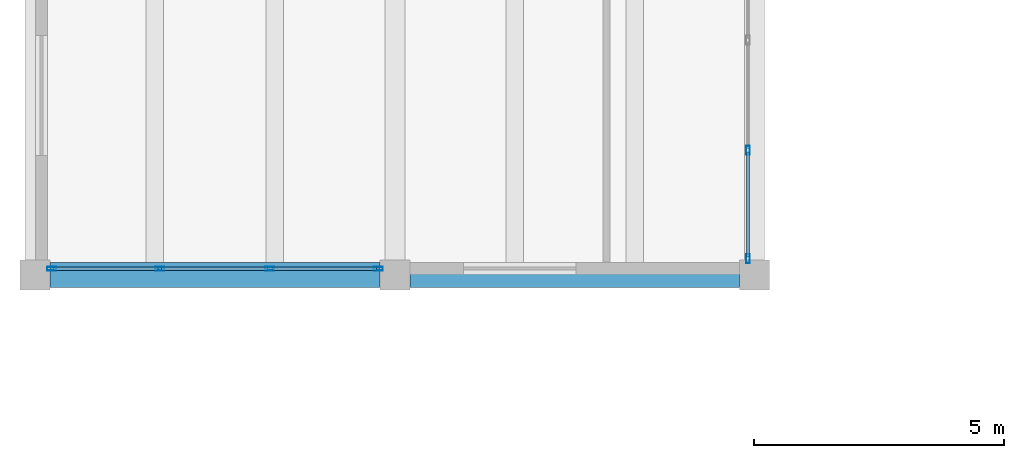
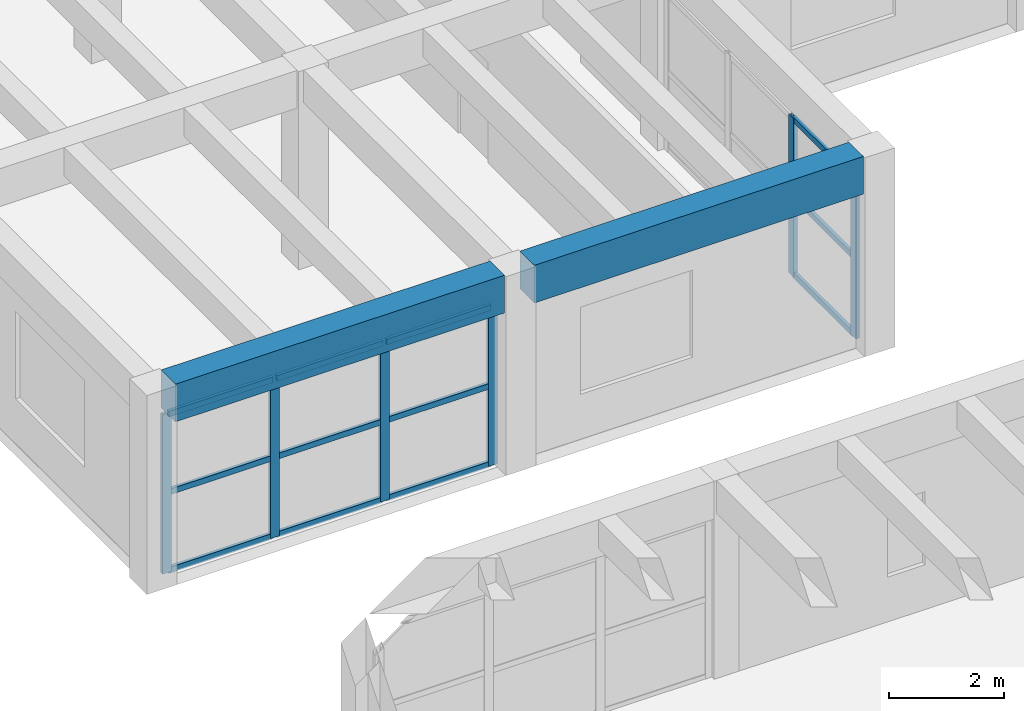
# One storey, part 59 of 153: 18 members, 2 beams, 2 elements without a shape of their own.
"""IFC4 building model written with IfcOpenShell, lengths in metres."""

from ifc_helpers import new_model, si_unit, direction, frame, origin, origin_2d, place, context, subcontext, project, spatial, rectangle, hollow_rectangle, extrude, material, material_profile, profile_set, type_object, element, aggregate, save


model = new_model("IFC4")

# Units and contexts
model_context = context("Model", 3, precision=1e-05, world=origin(), true_north=direction((0.0, 1.0)))
body_context = subcontext(model_context, "Body", "Model", "MODEL_VIEW")
ifc_project = project(units=[si_unit("LENGTHUNIT", "METRE"), si_unit("AREAUNIT", "SQUARE_METRE"), si_unit("VOLUMEUNIT", "CUBIC_METRE"), si_unit("PLANEANGLEUNIT", "RADIAN"), si_unit("MASSUNIT", "GRAM", prefix="KILO")], contexts=[model_context])

# Site, building, storey
site_placement = place(None, origin())
site = spatial("IfcSite", under=ifc_project, at=site_placement, CompositionType="ELEMENT")
building_placement = place(site_placement, origin())
building = spatial("IfcBuilding", under=site, at=building_placement, Name="Bramvelor Terrace Health Centre", CompositionType="ELEMENT")
storey_placement = place(building_placement, frame((0.0, 0.0, 4.800048828125)))
storey = spatial("IfcBuildingStorey", under=building, at=storey_placement, Name="L02", CompositionType="ELEMENT", Elevation=4.800048828125)

# Beams
ifc_material_1 = material(Name="Concrete C40/50", Category="concrete")
ifc_material_profile_1 = material_profile(ifc_material_1, rectangle(XDim=0.5, YDim=0.800048828125, at=origin_2d()), Name="RC 500x800")
ifc_profile_set_1 = profile_set([ifc_material_profile_1], Name="Concrete C40/50")
beam_type = type_object("IfcBeamType", Name="BM-RC-G800", PredefinedType="BEAM", material=ifc_profile_set_1)
beam_1_placement = place(storey_placement, frame((0.300048828125, 72.0, 3.820068359375), z_axis=(1.0, 0.0, 0.0), x_axis=(0.0, 1.0, 0.0)))
element("IfcBeam", 1, at=beam_1_placement, inside=storey, type_object=beam_type, Name="L02 Floor Girder", PredefinedType="BEAM", context=body_context, shape_type="SweptSolid", body=[
    extrude(rectangle(XDim=0.5, YDim=0.800048828125, at=origin_2d()), origin(), (0.0, 0.0, 1.0), 6.599853515625),
])
beam_2_placement = place(storey_placement, frame((7.5, 72.0, 3.820068359375), z_axis=(1.0, 0.0, 0.0), x_axis=(0.0, 1.0, 0.0)))
element("IfcBeam", 2, at=beam_2_placement, inside=storey, type_object=beam_type, Name="L02 Floor Girder", PredefinedType="BEAM", context=body_context, shape_type="SweptSolid", body=[
    extrude(rectangle(XDim=0.5, YDim=0.800048828125, at=origin_2d()), origin(), (0.0, 0.0, 1.0), 6.60009765625),
])

# Curtain wall, members
ifc_material_2 = material(Name="Anodized aluminium and double low-E glass", Category="aluminium")
curtain_wall_type = type_object("IfcCurtainWallType", Name="CW-SYS-12", PredefinedType="NOTDEFINED", material=ifc_material_2)
curtain_wall_1_placement = place(storey_placement, origin())
curtain_wall_1 = element("IfcCurtainWall", 3, at=curtain_wall_1_placement, inside=storey, type_object=curtain_wall_type, Name="L02 Unitized Curtain Wall 75", PredefinedType="NOTDEFINED")
ifc_material_3 = material(Name="Anodized aluminium 6063-T6", Category="aluminium")
ifc_material_profile_2 = material_profile(ifc_material_3, hollow_rectangle(XDim=0.074951171875, YDim=0.179931640625, WallThickness=0.00341796875, at=origin_2d()), Name="ALU-MUL 75x180x3.5")
ifc_profile_set_2 = profile_set([ifc_material_profile_2], Name="Anodized aluminium 6063-T6")
member_type_1 = type_object("IfcMemberType", Name="CW-MUL-65x180", PredefinedType="MULLION", material=ifc_profile_set_2)
member_1_placement = place(storey_placement, frame((14.27001953125, 74.498291015625, 0.0), z_axis=(0.0, 0.0, 1.0), x_axis=(1.0, 0.0, 0.0)))
member_1 = element("IfcMember", 4, at=member_1_placement, type_object=member_type_1, Name="CW-12 mullion 3", PredefinedType="MULLION", context=body_context, shape_type="SweptSolid", body=[
    extrude(hollow_rectangle(XDim=0.074951171875, YDim=0.179931640625, WallThickness=0.00341796875, at=origin_2d()), origin(), (0.0, 0.0, 1.0), 3.35986328125),
])
member_2_placement = place(storey_placement, frame((14.27001953125, 72.33251953125, 0.0), z_axis=(0.0, 0.0, 1.0), x_axis=(1.0, 0.0, 0.0)))
member_2 = element("IfcMember", 5, at=member_2_placement, type_object=member_type_1, Name="CW-12 mullion 4", PredefinedType="MULLION", context=body_context, shape_type="SweptSolid", body=[
    extrude(hollow_rectangle(XDim=0.074951171875, YDim=0.179931640625, WallThickness=0.00341796875, at=origin_2d()), origin(), (0.0, 0.0, 1.0), 3.35986328125),
])

curtain_wall_2_placement = place(storey_placement, origin())
curtain_wall_2 = element("IfcCurtainWall", 6, at=curtain_wall_2_placement, inside=storey, type_object=curtain_wall_type, Name="L02 Unitized Curtain Wall 76", PredefinedType="NOTDEFINED")
member_3_placement = place(storey_placement, frame((6.867431640625, 72.1298828125, 0.0), z_axis=(0.0, 0.0, 1.0), x_axis=(0.0, -1.0, 0.0)))
member_3 = element("IfcMember", 7, at=member_3_placement, type_object=member_type_1, Name="CW-12 mullion 1", PredefinedType="MULLION", context=body_context, shape_type="SweptSolid", body=[
    extrude(hollow_rectangle(XDim=0.074951171875, YDim=0.179931640625, WallThickness=0.00341796875, at=origin_2d()), origin(), (0.0, 0.0, 1.0), 3.3798828125),
])
member_4_placement = place(storey_placement, frame((4.70166015625, 72.1298828125, 0.0), z_axis=(0.0, 0.0, 1.0), x_axis=(0.0, -1.0, 0.0)))
member_4 = element("IfcMember", 8, at=member_4_placement, type_object=member_type_1, Name="CW-12 mullion 2", PredefinedType="MULLION", context=body_context, shape_type="SweptSolid", body=[
    extrude(hollow_rectangle(XDim=0.074951171875, YDim=0.179931640625, WallThickness=0.00341796875, at=origin_2d()), origin(), (0.0, 0.0, 1.0), 3.3798828125),
])
member_5_placement = place(storey_placement, frame((2.498291015625, 72.1298828125, 0.0), z_axis=(0.0, 0.0, 1.0), x_axis=(0.0, -1.0, 0.0)))
member_5 = element("IfcMember", 9, at=member_5_placement, type_object=member_type_1, Name="CW-12 mullion 3", PredefinedType="MULLION", context=body_context, shape_type="SweptSolid", body=[
    extrude(hollow_rectangle(XDim=0.074951171875, YDim=0.179931640625, WallThickness=0.00341796875, at=origin_2d()), origin(), (0.0, 0.0, 1.0), 3.3798828125),
])
member_6_placement = place(storey_placement, frame((0.33251953125, 72.1298828125, 0.0), z_axis=(0.0, 0.0, 1.0), x_axis=(0.0, -1.0, 0.0)))
member_6 = element("IfcMember", 10, at=member_6_placement, type_object=member_type_1, Name="CW-12 mullion 4", PredefinedType="MULLION", context=body_context, shape_type="SweptSolid", body=[
    extrude(hollow_rectangle(XDim=0.074951171875, YDim=0.179931640625, WallThickness=0.00341796875, at=origin_2d()), origin(), (0.0, 0.0, 1.0), 3.3798828125),
])

# Member
ifc_material_4 = material(Name="Anodized aluminium 6063-T6", Category="aluminium")
ifc_material_profile_3 = material_profile(ifc_material_4, hollow_rectangle(XDim=0.06494140625, YDim=0.1201171875, WallThickness=0.0029296875, at=origin_2d()), Name="ALU-TRN 65x120x3.0")
ifc_profile_set_3 = profile_set([ifc_material_profile_3], Name="Anodized aluminium 6063-T6")
member_type_2 = type_object("IfcMemberType", Name="CW-TRN-65x150", PredefinedType="USERDEFINED", material=ifc_profile_set_3)
member_7_placement = place(storey_placement, frame((14.27001953125, 74.4609375, 0.032470703125), z_axis=(0.0, -1.0, 0.0), x_axis=(1.0, 0.0, 0.0)))
member_7 = element("IfcMember", 11, at=member_7_placement, type_object=member_type_2, Name="CW-12 transom 3.1", ObjectType="TRANSOM", PredefinedType="USERDEFINED", context=body_context, shape_type="SweptSolid", body=[
    extrude(hollow_rectangle(XDim=0.06494140625, YDim=0.1201171875, WallThickness=0.0029296875, at=origin_2d()), origin(), (0.0, 0.0, 1.0), 2.0908203125),
])

member_8_placement = place(storey_placement, frame((14.27001953125, 74.4609375, 1.679931640625), z_axis=(0.0, -1.0, 0.0), x_axis=(1.0, 0.0, 0.0)))
member_8 = element("IfcMember", 12, at=member_8_placement, type_object=member_type_2, Name="CW-12 transom 3.2", ObjectType="TRANSOM", PredefinedType="USERDEFINED", context=body_context, shape_type="SweptSolid", body=[
    extrude(hollow_rectangle(XDim=0.06494140625, YDim=0.1201171875, WallThickness=0.0029296875, at=origin_2d()), origin(), (0.0, 0.0, 1.0), 2.0908203125),
])

member_9_placement = place(storey_placement, frame((14.27001953125, 74.4609375, 3.327392578125), z_axis=(0.0, -1.0, 0.0), x_axis=(1.0, 0.0, 0.0)))
member_9 = element("IfcMember", 13, at=member_9_placement, type_object=member_type_2, Name="CW-12 transom 3.3", ObjectType="TRANSOM", PredefinedType="USERDEFINED", context=body_context, shape_type="SweptSolid", body=[
    extrude(hollow_rectangle(XDim=0.06494140625, YDim=0.1201171875, WallThickness=0.0029296875, at=origin_2d()), origin(), (0.0, 0.0, 1.0), 2.0908203125),
])

aggregate(curtain_wall_1, [member_1, member_2, member_7, member_8, member_9])

member_10_placement = place(storey_placement, frame((6.830078125, 72.1298828125, 0.032470703125), z_axis=(-1.0, 0.0, 0.0), x_axis=(0.0, -1.0, 0.0)))
member_10 = element("IfcMember", 14, at=member_10_placement, type_object=member_type_2, Name="CW-12 transom 1.1", ObjectType="TRANSOM", PredefinedType="USERDEFINED", context=body_context, shape_type="SweptSolid", body=[
    extrude(hollow_rectangle(XDim=0.06494140625, YDim=0.1201171875, WallThickness=0.0029296875, at=origin_2d()), origin(), (0.0, 0.0, 1.0), 2.0908203125),
])

member_11_placement = place(storey_placement, frame((6.830078125, 72.1298828125, 1.68994140625), z_axis=(-1.0, 0.0, 0.0), x_axis=(0.0, -1.0, 0.0)))
member_11 = element("IfcMember", 15, at=member_11_placement, type_object=member_type_2, Name="CW-12 transom 1.2", ObjectType="TRANSOM", PredefinedType="USERDEFINED", context=body_context, shape_type="SweptSolid", body=[
    extrude(hollow_rectangle(XDim=0.06494140625, YDim=0.1201171875, WallThickness=0.0029296875, at=origin_2d()), origin(), (0.0, 0.0, 1.0), 2.0908203125),
])

member_12_placement = place(storey_placement, frame((6.830078125, 72.1298828125, 3.347412109375), z_axis=(-1.0, 0.0, 0.0), x_axis=(0.0, -1.0, 0.0)))
member_12 = element("IfcMember", 16, at=member_12_placement, type_object=member_type_2, Name="CW-12 transom 1.3", ObjectType="TRANSOM", PredefinedType="USERDEFINED", context=body_context, shape_type="SweptSolid", body=[
    extrude(hollow_rectangle(XDim=0.06494140625, YDim=0.1201171875, WallThickness=0.0029296875, at=origin_2d()), origin(), (0.0, 0.0, 1.0), 2.0908203125),
])

member_13_placement = place(storey_placement, frame((4.6640625, 72.1298828125, 0.032470703125), z_axis=(-1.0, 0.0, 0.0), x_axis=(0.0, -1.0, 0.0)))
member_13 = element("IfcMember", 17, at=member_13_placement, type_object=member_type_2, Name="CW-12 transom 2.1", ObjectType="TRANSOM", PredefinedType="USERDEFINED", context=body_context, shape_type="SweptSolid", body=[
    extrude(hollow_rectangle(XDim=0.06494140625, YDim=0.1201171875, WallThickness=0.0029296875, at=origin_2d()), origin(), (0.0, 0.0, 1.0), 2.128173828125),
])

member_14_placement = place(storey_placement, frame((4.6640625, 72.1298828125, 1.68994140625), z_axis=(-1.0, 0.0, 0.0), x_axis=(0.0, -1.0, 0.0)))
member_14 = element("IfcMember", 18, at=member_14_placement, type_object=member_type_2, Name="CW-12 transom 2.2", ObjectType="TRANSOM", PredefinedType="USERDEFINED", context=body_context, shape_type="SweptSolid", body=[
    extrude(hollow_rectangle(XDim=0.06494140625, YDim=0.1201171875, WallThickness=0.0029296875, at=origin_2d()), origin(), (0.0, 0.0, 1.0), 2.128173828125),
])

member_15_placement = place(storey_placement, frame((4.6640625, 72.1298828125, 3.347412109375), z_axis=(-1.0, 0.0, 0.0), x_axis=(0.0, -1.0, 0.0)))
member_15 = element("IfcMember", 19, at=member_15_placement, type_object=member_type_2, Name="CW-12 transom 2.3", ObjectType="TRANSOM", PredefinedType="USERDEFINED", context=body_context, shape_type="SweptSolid", body=[
    extrude(hollow_rectangle(XDim=0.06494140625, YDim=0.1201171875, WallThickness=0.0029296875, at=origin_2d()), origin(), (0.0, 0.0, 1.0), 2.128173828125),
])

member_16_placement = place(storey_placement, frame((2.4609375, 72.1298828125, 0.032470703125), z_axis=(-1.0, 0.0, 0.0), x_axis=(0.0, -1.0, 0.0)))
member_16 = element("IfcMember", 20, at=member_16_placement, type_object=member_type_2, Name="CW-12 transom 3.1", ObjectType="TRANSOM", PredefinedType="USERDEFINED", context=body_context, shape_type="SweptSolid", body=[
    extrude(hollow_rectangle(XDim=0.06494140625, YDim=0.1201171875, WallThickness=0.0029296875, at=origin_2d()), origin(), (0.0, 0.0, 1.0), 2.0908203125),
])

member_17_placement = place(storey_placement, frame((2.4609375, 72.1298828125, 1.68994140625), z_axis=(-1.0, 0.0, 0.0), x_axis=(0.0, -1.0, 0.0)))
member_17 = element("IfcMember", 21, at=member_17_placement, type_object=member_type_2, Name="CW-12 transom 3.2", ObjectType="TRANSOM", PredefinedType="USERDEFINED", context=body_context, shape_type="SweptSolid", body=[
    extrude(hollow_rectangle(XDim=0.06494140625, YDim=0.1201171875, WallThickness=0.0029296875, at=origin_2d()), origin(), (0.0, 0.0, 1.0), 2.0908203125),
])

member_18_placement = place(storey_placement, frame((2.4609375, 72.1298828125, 3.347412109375), z_axis=(-1.0, 0.0, 0.0), x_axis=(0.0, -1.0, 0.0)))
member_18 = element("IfcMember", 22, at=member_18_placement, type_object=member_type_2, Name="CW-12 transom 3.3", ObjectType="TRANSOM", PredefinedType="USERDEFINED", context=body_context, shape_type="SweptSolid", body=[
    extrude(hollow_rectangle(XDim=0.06494140625, YDim=0.1201171875, WallThickness=0.0029296875, at=origin_2d()), origin(), (0.0, 0.0, 1.0), 2.0908203125),
])

aggregate(curtain_wall_2, [member_3, member_4, member_5, member_6, member_10, member_11, member_12, member_13, member_14, member_15, member_16, member_17, member_18])

save(model, "model.ifc")
